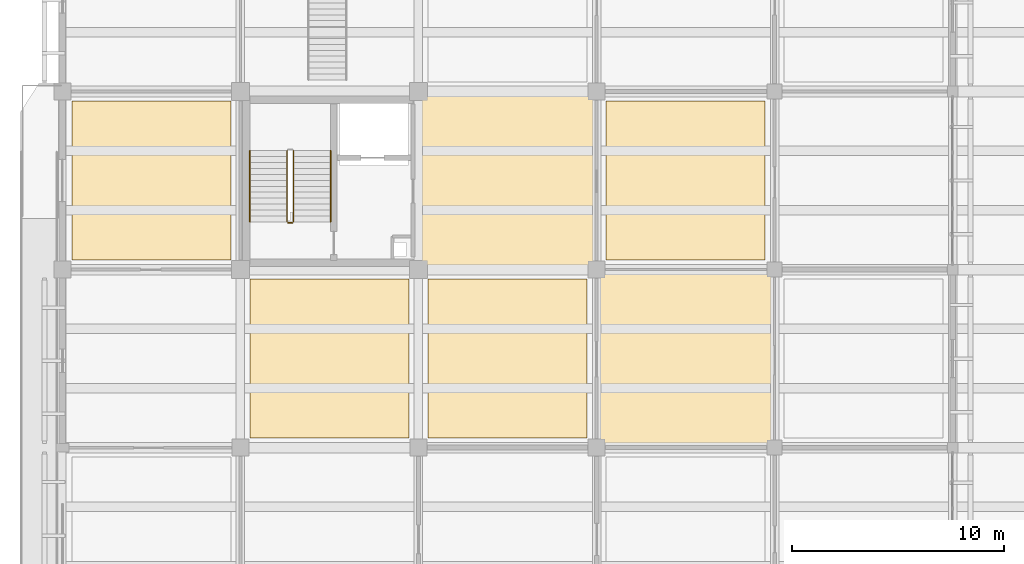
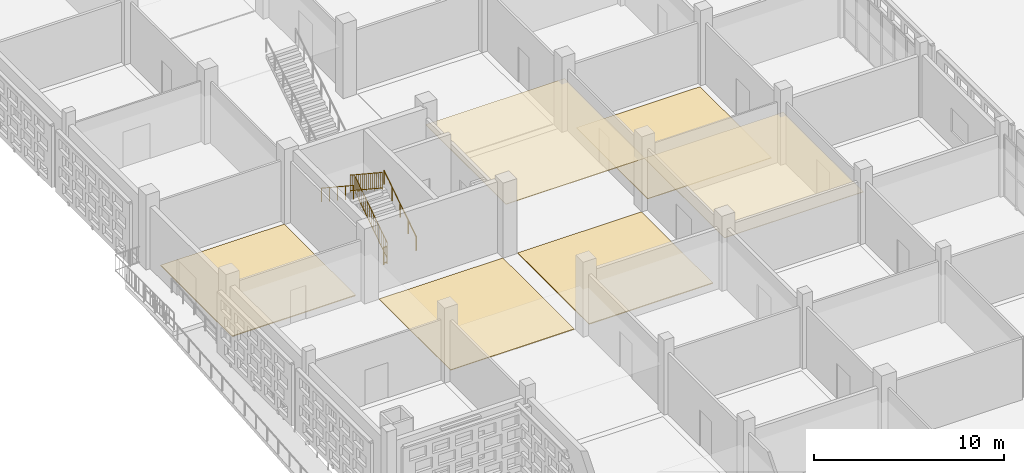
# One storey, part 87 of 129: 6 coverings, 5 railings.
"""IFC4 building model written with IfcOpenShell, lengths in metres."""

from ifc_helpers import new_model, si_unit, direction, frame, origin, origin_2d, place, context, subcontext, project, spatial, rectangle, circle, extrude, material, layer, layer_set, type_object, element, save


model = new_model("IFC4")

# Units and contexts
model_context = context("Model", 3, precision=1e-05, world=origin(), true_north=direction((0.0, 1.0)))
body_context = subcontext(model_context, "Body", "Model", "MODEL_VIEW")
ifc_project = project(units=[si_unit("LENGTHUNIT", "METRE"), si_unit("AREAUNIT", "SQUARE_METRE"), si_unit("VOLUMEUNIT", "CUBIC_METRE"), si_unit("PLANEANGLEUNIT", "RADIAN"), si_unit("MASSUNIT", "GRAM", prefix="KILO")], contexts=[model_context])

# Site, building, storey
site_placement = place(None, origin())
site = spatial("IfcSite", under=ifc_project, at=site_placement, CompositionType="ELEMENT")
building_placement = place(site_placement, origin())
building = spatial("IfcBuilding", under=site, at=building_placement, Name="Varnapada Polytechnic", CompositionType="ELEMENT")
storey_placement = place(building_placement, origin())
storey = spatial("IfcBuildingStorey", under=building, at=storey_placement, Name="L00", CompositionType="ELEMENT", Elevation=0.0)

# Coverings
ifc_material_1 = material(Name="End-Grain Timber Studio Block Flooring", Category="wood")
ifc_layer_1 = layer(ifc_material_1, 0.054931640625)
ifc_layer_set_1 = layer_set([ifc_layer_1], Name="End-Grain Timber Studio Block Flooring")
covering_type_1 = type_object("IfcCoveringType", Name="Floor Finish FLR-04", PredefinedType="FLOORING", material=ifc_layer_set_1)
for number, where, z_axis, x_axis, name in (
    (1, (4.199951171875, 63.0, 0.0), (0.0, 0.0, 1.0), (1.0, 0.0, 0.0), "L00 floor finish panel (1,8)"),
    (2, (21.0, 54.60009765625, 0.0), (0.0, 0.0, 1.0), (1.0, 0.0, 0.0), "L00 floor finish panel (3,7)"),
):
    element("IfcCovering", number, at=place(storey_placement, frame(where, z_axis=z_axis, x_axis=x_axis)), inside=storey, type_object=covering_type_1, Name=name, PredefinedType="FLOORING", context=body_context, shape_type="SweptSolid", body=[
        extrude(rectangle(XDim=7.5, YDim=7.5, at=origin_2d()), origin(), (0.0, 0.0, 1.0), 0.054931640625),
    ])
ifc_material_2 = material(Name="Acoustic Rubber Seminar Flooring")
ifc_layer_2 = layer(ifc_material_2, 0.0400390625)
ifc_layer_set_2 = layer_set([ifc_layer_2], Name="Acoustic Rubber Seminar Flooring")
covering_type_2 = type_object("IfcCoveringType", Name="Floor Finish FLR-06", PredefinedType="FLOORING", material=ifc_layer_set_2)
for number, where, z_axis, x_axis, name in (
    (3, (12.60009765625, 54.60009765625, 0.0), (0.0, 0.0, 1.0), (1.0, 0.0, 0.0), "L00 floor finish panel (2,7)"),
    (4, (29.39990234375, 63.0, 0.0), (0.0, 0.0, 1.0), (1.0, 0.0, 0.0), "L00 floor finish panel (4,8)"),
):
    element("IfcCovering", number, at=place(storey_placement, frame(where, z_axis=z_axis, x_axis=x_axis)), inside=storey, type_object=covering_type_2, Name=name, PredefinedType="FLOORING", context=body_context, shape_type="SweptSolid", body=[
        extrude(rectangle(XDim=7.5, YDim=7.5, at=origin_2d()), origin(), (0.0, 0.0, 1.0), 0.0400390625),
    ])

# Railings
ifc_material_3 = material(Name="Brushed Stainless Steel 316", Category="steel")
railing_type_1 = type_object("IfcRailingType", Name="Stair Wall Handrail SHR-01", PredefinedType="HANDRAIL", material=ifc_material_3)
railing_1_placement = place(storey_placement, frame((12.64990234375, 61.050048828125, 0.1845703125)))
element("IfcRailing", 5, at=railing_1_placement, inside=storey, type_object=railing_type_1, Name="L00 ST-2 stair handrail 1", PredefinedType="HANDRAIL", context=body_context, shape_type="SweptSolid", body=[
    extrude(circle(Radius=0.02392578125, at=origin_2d()), frame((0.0, 0.0, 0.8759765625), z_axis=(0.0, 0.834858096282, 0.550465220583), x_axis=(-1.0, 0.0, 0.0)), (0.0, 0.0, 1.0), 4.0244140625),
    extrude(circle(Radius=0.02099609375, at=origin_2d()), origin(), (0.0, 0.0, 1.0), 0.851806640625),
    extrude(circle(Radius=0.02099609375, at=origin_2d()), frame((0.0, 0.83984375, 0.5537109375)), (0.0, 0.0, 1.0), 0.851806640625),
    extrude(circle(Radius=0.02099609375, at=origin_2d()), frame((0.0, 1.679931640625, 1.107666015625)), (0.0, 0.0, 1.0), 0.851806640625),
    extrude(circle(Radius=0.02099609375, at=origin_2d()), frame((0.0, 2.52001953125, 1.66162109375)), (0.0, 0.0, 1.0), 0.851806640625),
    extrude(circle(Radius=0.02099609375, at=origin_2d()), frame((0.0, 3.35986328125, 2.21533203125)), (0.0, 0.0, 1.0), 0.851806640625),
])
railing_2_placement = place(storey_placement, frame((8.85009765625, 64.409912109375, 2.584716796875)))
element("IfcRailing", 6, at=railing_2_placement, inside=storey, type_object=railing_type_1, Name="L00 ST-2 stair handrail 2", PredefinedType="HANDRAIL", context=body_context, shape_type="SweptSolid", body=[
    extrude(circle(Radius=0.02392578125, at=origin_2d()), frame((0.0, 0.0, 0.8759765625), z_axis=(0.0, -0.834858096282, 0.550465220583), x_axis=(1.0, 0.0, 0.0)), (0.0, 0.0, 1.0), 4.0244140625),
    extrude(circle(Radius=0.02099609375, at=origin_2d()), origin(), (0.0, 0.0, 1.0), 0.851806640625),
    extrude(circle(Radius=0.02099609375, at=origin_2d()), frame((0.0, -0.83984375, 0.5537109375)), (0.0, 0.0, 1.0), 0.851806640625),
    extrude(circle(Radius=0.02099609375, at=origin_2d()), frame((0.0, -1.679931640625, 1.107666015625)), (0.0, 0.0, 1.0), 0.851806640625),
    extrude(circle(Radius=0.02099609375, at=origin_2d()), frame((0.0, -2.52001953125, 1.66162109375)), (0.0, 0.0, 1.0), 0.851806640625),
    extrude(circle(Radius=0.02099609375, at=origin_2d()), frame((0.0, -3.35986328125, 2.21533203125)), (0.0, 0.0, 1.0), 0.851806640625),
])
railing_type_2 = type_object("IfcRailingType", Name="Stair Well Guard Rail SGR-01", PredefinedType="BALUSTRADE", material=ifc_material_3)
railing_3_placement = place(storey_placement, frame((10.89990234375, 61.050048828125, 0.1845703125)))
element("IfcRailing", 7, at=railing_3_placement, inside=storey, type_object=railing_type_2, Name="L00 ST-2 stair guard 1", PredefinedType="BALUSTRADE", context=body_context, shape_type="SweptSolid", body=[
    extrude(circle(Radius=0.02392578125, at=origin_2d()), frame((0.0, 0.0, 1.09619140625), z_axis=(0.0, 0.834858096282, 0.550465220583), x_axis=(-1.0, 0.0, 0.0)), (0.0, 0.0, 1.0), 4.0244140625),
    extrude(circle(Radius=0.02392578125, at=origin_2d()), frame((0.0, 0.0, 0.10009765625), z_axis=(0.0, 0.834858096282, 0.550465220583), x_axis=(-1.0, 0.0, 0.0)), (0.0, 0.0, 1.0), 4.0244140625),
    extrude(circle(Radius=0.02099609375, at=origin_2d()), origin(), (0.0, 0.0, 1.0), 1.072021484375),
    extrude(circle(Radius=0.02099609375, at=origin_2d()), frame((0.0, 0.83984375, 0.5537109375)), (0.0, 0.0, 1.0), 1.072021484375),
    extrude(circle(Radius=0.02099609375, at=origin_2d()), frame((0.0, 1.679931640625, 1.107666015625)), (0.0, 0.0, 1.0), 1.072021484375),
    extrude(circle(Radius=0.02099609375, at=origin_2d()), frame((0.0, 2.52001953125, 1.66162109375)), (0.0, 0.0, 1.0), 1.072021484375),
    extrude(circle(Radius=0.02099609375, at=origin_2d()), frame((0.0, 3.35986328125, 2.21533203125)), (0.0, 0.0, 1.0), 1.072021484375),
    extrude(circle(Radius=0.010009765625, at=origin_2d()), frame((0.0, 0.2099609375, 0.238525390625)), (0.0, 0.0, 1.0), 0.971923828125),
    extrude(circle(Radius=0.010009765625, at=origin_2d()), frame((0.0, 0.419921875, 0.376953125)), (0.0, 0.0, 1.0), 0.971923828125),
    extrude(circle(Radius=0.010009765625, at=origin_2d()), frame((0.0, 0.6298828125, 0.515380859375)), (0.0, 0.0, 1.0), 0.971923828125),
    extrude(circle(Radius=0.010009765625, at=origin_2d()), frame((0.0, 0.83984375, 0.65380859375)), (0.0, 0.0, 1.0), 0.971923828125),
    extrude(circle(Radius=0.010009765625, at=origin_2d()), frame((0.0, 1.050048828125, 0.79248046875)), (0.0, 0.0, 1.0), 0.971923828125),
    extrude(circle(Radius=0.010009765625, at=origin_2d()), frame((0.0, 1.260009765625, 0.930908203125)), (0.0, 0.0, 1.0), 0.971923828125),
    extrude(circle(Radius=0.010009765625, at=origin_2d()), frame((0.0, 1.469970703125, 1.0693359375)), (0.0, 0.0, 1.0), 0.971923828125),
    extrude(circle(Radius=0.010009765625, at=origin_2d()), frame((0.0, 1.679931640625, 1.207763671875)), (0.0, 0.0, 1.0), 0.971923828125),
    extrude(circle(Radius=0.010009765625, at=origin_2d()), frame((0.0, 1.889892578125, 1.34619140625)), (0.0, 0.0, 1.0), 0.971923828125),
    extrude(circle(Radius=0.010009765625, at=origin_2d()), frame((0.0, 2.099853515625, 1.484619140625)), (0.0, 0.0, 1.0), 0.971923828125),
    extrude(circle(Radius=0.010009765625, at=origin_2d()), frame((0.0, 2.309814453125, 1.623046875)), (0.0, 0.0, 1.0), 0.971923828125),
    extrude(circle(Radius=0.010009765625, at=origin_2d()), frame((0.0, 2.52001953125, 1.76171875)), (0.0, 0.0, 1.0), 0.971923828125),
    extrude(circle(Radius=0.010009765625, at=origin_2d()), frame((0.0, 2.72998046875, 1.900146484375)), (0.0, 0.0, 1.0), 0.971923828125),
    extrude(circle(Radius=0.010009765625, at=origin_2d()), frame((0.0, 2.93994140625, 2.03857421875)), (0.0, 0.0, 1.0), 0.971923828125),
    extrude(circle(Radius=0.010009765625, at=origin_2d()), frame((0.0, 3.14990234375, 2.177001953125)), (0.0, 0.0, 1.0), 0.971923828125),
])
railing_4_placement = place(storey_placement, frame((10.60009765625, 64.409912109375, 2.584716796875)))
element("IfcRailing", 8, at=railing_4_placement, inside=storey, type_object=railing_type_2, Name="L00 ST-2 stair guard 3", PredefinedType="BALUSTRADE", context=body_context, shape_type="SweptSolid", body=[
    extrude(circle(Radius=0.02392578125, at=origin_2d()), frame((0.0, 0.0, 1.09619140625), z_axis=(0.0, -0.834858096282, 0.550465220583), x_axis=(1.0, 0.0, 0.0)), (0.0, 0.0, 1.0), 4.0244140625),
    extrude(circle(Radius=0.02392578125, at=origin_2d()), frame((0.0, 0.0, 0.10009765625), z_axis=(0.0, -0.834858096282, 0.550465220583), x_axis=(1.0, 0.0, 0.0)), (0.0, 0.0, 1.0), 4.0244140625),
    extrude(circle(Radius=0.02099609375, at=origin_2d()), origin(), (0.0, 0.0, 1.0), 1.072021484375),
    extrude(circle(Radius=0.02099609375, at=origin_2d()), frame((0.0, -0.83984375, 0.5537109375)), (0.0, 0.0, 1.0), 1.072021484375),
    extrude(circle(Radius=0.02099609375, at=origin_2d()), frame((0.0, -1.679931640625, 1.107666015625)), (0.0, 0.0, 1.0), 1.072021484375),
    extrude(circle(Radius=0.02099609375, at=origin_2d()), frame((0.0, -2.52001953125, 1.66162109375)), (0.0, 0.0, 1.0), 1.072021484375),
    extrude(circle(Radius=0.02099609375, at=origin_2d()), frame((0.0, -3.35986328125, 2.21533203125)), (0.0, 0.0, 1.0), 1.072021484375),
    extrude(circle(Radius=0.010009765625, at=origin_2d()), frame((0.0, -0.2099609375, 0.238525390625)), (0.0, 0.0, 1.0), 0.971923828125),
    extrude(circle(Radius=0.010009765625, at=origin_2d()), frame((0.0, -0.419921875, 0.376953125)), (0.0, 0.0, 1.0), 0.971923828125),
    extrude(circle(Radius=0.010009765625, at=origin_2d()), frame((0.0, -0.6298828125, 0.515380859375)), (0.0, 0.0, 1.0), 0.971923828125),
    extrude(circle(Radius=0.010009765625, at=origin_2d()), frame((0.0, -0.83984375, 0.65380859375)), (0.0, 0.0, 1.0), 0.971923828125),
    extrude(circle(Radius=0.010009765625, at=origin_2d()), frame((0.0, -1.050048828125, 0.79248046875)), (0.0, 0.0, 1.0), 0.971923828125),
    extrude(circle(Radius=0.010009765625, at=origin_2d()), frame((0.0, -1.260009765625, 0.930908203125)), (0.0, 0.0, 1.0), 0.971923828125),
    extrude(circle(Radius=0.010009765625, at=origin_2d()), frame((0.0, -1.469970703125, 1.0693359375)), (0.0, 0.0, 1.0), 0.971923828125),
    extrude(circle(Radius=0.010009765625, at=origin_2d()), frame((0.0, -1.679931640625, 1.207763671875)), (0.0, 0.0, 1.0), 0.971923828125),
    extrude(circle(Radius=0.010009765625, at=origin_2d()), frame((0.0, -1.889892578125, 1.34619140625)), (0.0, 0.0, 1.0), 0.971923828125),
    extrude(circle(Radius=0.010009765625, at=origin_2d()), frame((0.0, -2.099853515625, 1.484619140625)), (0.0, 0.0, 1.0), 0.971923828125),
    extrude(circle(Radius=0.010009765625, at=origin_2d()), frame((0.0, -2.309814453125, 1.623046875)), (0.0, 0.0, 1.0), 0.971923828125),
    extrude(circle(Radius=0.010009765625, at=origin_2d()), frame((0.0, -2.52001953125, 1.76171875)), (0.0, 0.0, 1.0), 0.971923828125),
    extrude(circle(Radius=0.010009765625, at=origin_2d()), frame((0.0, -2.72998046875, 1.900146484375)), (0.0, 0.0, 1.0), 0.971923828125),
    extrude(circle(Radius=0.010009765625, at=origin_2d()), frame((0.0, -2.93994140625, 2.03857421875)), (0.0, 0.0, 1.0), 0.971923828125),
    extrude(circle(Radius=0.010009765625, at=origin_2d()), frame((0.0, -3.14990234375, 2.177001953125)), (0.0, 0.0, 1.0), 0.971923828125),
])
railing_5_placement = place(storey_placement, frame((10.85009765625, 61.0, 0.0)))
element("IfcRailing", 9, at=railing_5_placement, inside=storey, type_object=railing_type_2, Name="L00 ST-2 stair guard 4", PredefinedType="BALUSTRADE", context=body_context, shape_type="SweptSolid", body=[
    extrude(circle(Radius=0.02392578125, at=origin_2d()), frame((0.0, 0.0, 1.09619140625), z_axis=(-1.0, 0.0, 0.0), x_axis=(0.0, -1.0, 0.0)), (0.0, 0.0, 1.0), 0.2001953125),
    extrude(circle(Radius=0.02392578125, at=origin_2d()), frame((0.0, 0.0, 0.10009765625), z_axis=(-1.0, 0.0, 0.0), x_axis=(0.0, -1.0, 0.0)), (0.0, 0.0, 1.0), 0.2001953125),
    extrude(circle(Radius=0.02099609375, at=origin_2d()), origin(), (0.0, 0.0, 1.0), 1.072021484375),
    extrude(circle(Radius=0.02099609375, at=origin_2d()), frame((-0.2001953125, 0.0, 0.0)), (0.0, 0.0, 1.0), 1.072021484375),
])

# Coverings
ifc_material_4 = material(Name="Mineral Fibre Acoustic Ceiling Tile")
ifc_layer_3 = layer(ifc_material_4, 0.0400390625)
ifc_layer_set_3 = layer_set([ifc_layer_3], Name="Mineral Fibre Acoustic Ceiling Tile")
covering_type_3 = type_object("IfcCoveringType", Name="Suspended Ceiling CLG-01", PredefinedType="CEILING", material=ifc_layer_set_3)
covering_1_placement = place(storey_placement, frame((21.0, 63.0, 3.030029296875), z_axis=(0.0, 0.0, 1.0), x_axis=(1.0, 0.0, 0.0)))
element("IfcCovering", 10, at=covering_1_placement, inside=storey, type_object=covering_type_3, Name="L00 suspended acoustic ceiling (3,8)", PredefinedType="CEILING", context=body_context, shape_type="SweptSolid", body=[
    extrude(rectangle(XDim=8.419921875, YDim=8.419921875, at=origin_2d()), origin(), (0.0, 0.0, 1.0), 0.0400390625),
])
ifc_material_5 = material(Name="Cleanroom Laboratory Metal Pan Ceiling")
ifc_layer_4 = layer(ifc_material_5, 0.034912109375)
ifc_layer_set_4 = layer_set([ifc_layer_4], Name="Cleanroom Laboratory Metal Pan Ceiling")
covering_type_4 = type_object("IfcCoveringType", Name="Suspended Ceiling CLG-06", PredefinedType="CEILING", material=ifc_layer_set_4)
covering_2_placement = place(storey_placement, frame((29.39990234375, 54.60009765625, 3.03271484375), z_axis=(0.0, 0.0, 1.0), x_axis=(1.0, 0.0, 0.0)))
element("IfcCovering", 11, at=covering_2_placement, inside=storey, type_object=covering_type_4, Name="L00 suspended acoustic ceiling (4,7)", PredefinedType="CEILING", context=body_context, shape_type="SweptSolid", body=[
    extrude(rectangle(XDim=8.419921875, YDim=8.419921875, at=origin_2d()), origin(), (0.0, 0.0, 1.0), 0.034912109375),
])

save(model, "model.ifc")
